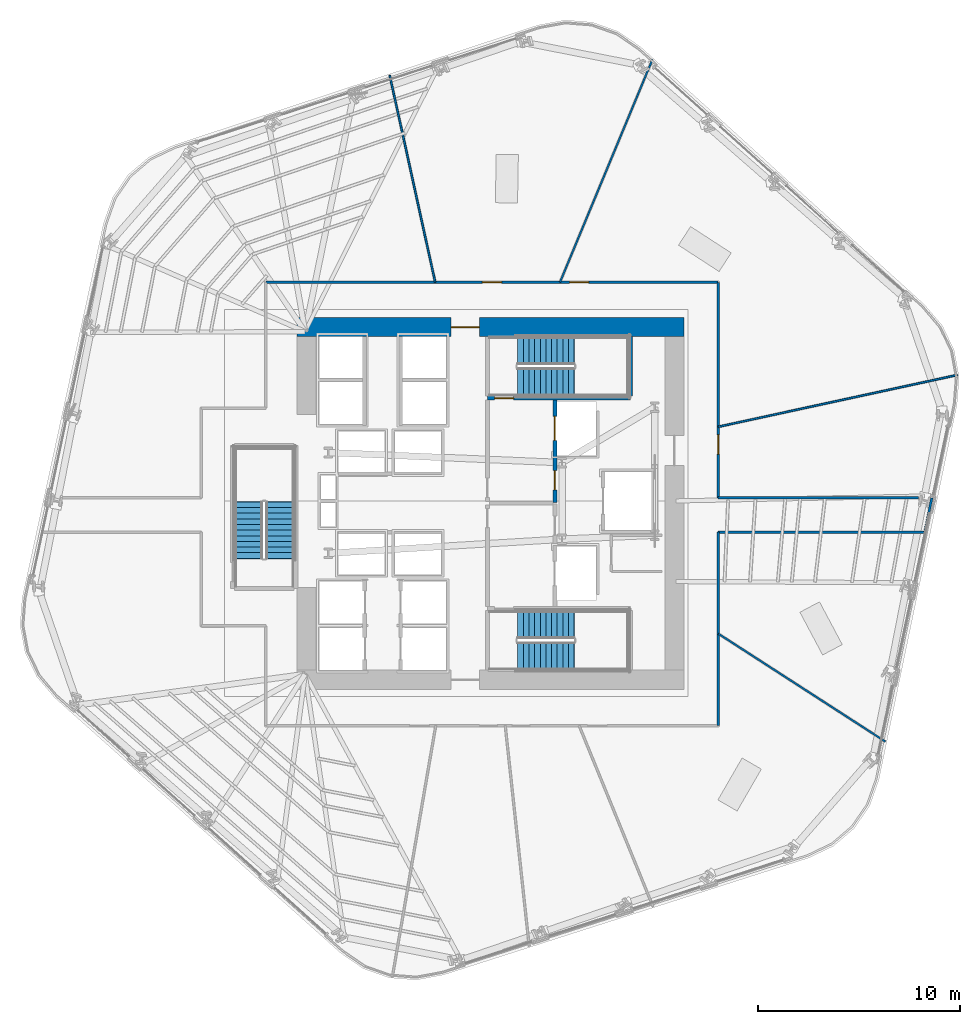
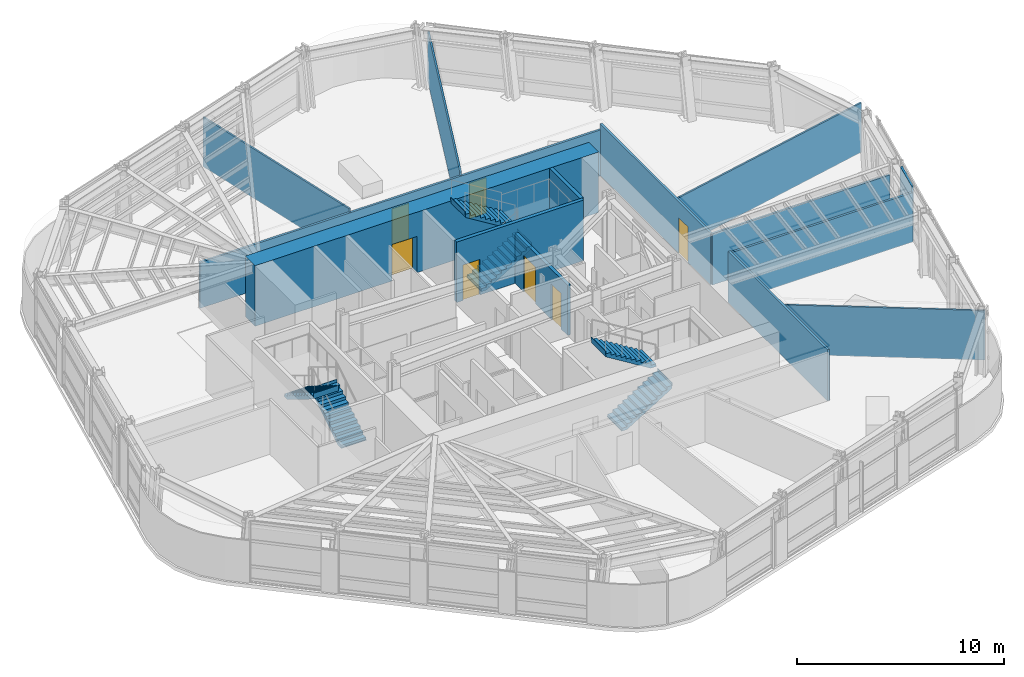
# One storey, part 10 of 16: 14 walls, 7 doors, 6 stair flights, 7 openings, 3 elements without a shape of their own.
"""IFC4 building model written with IfcOpenShell, lengths in metres."""

from ifc_helpers import new_model, si_unit, direction, frame, frame_2d, origin, place, context, subcontext, project, spatial, polyline, rectangle, outline, extrude, material, layer, layer_set, type_object, element, fill, aggregate, save


model = new_model("IFC4")

# Units and contexts
model_context = context("Model", 3, precision=1e-05, world=origin(), true_north=direction((0.0, 1.0)))
body_context = subcontext(model_context, "Body", "Model", "MODEL_VIEW")
ifc_project = project(units=[si_unit("LENGTHUNIT", "METRE"), si_unit("AREAUNIT", "SQUARE_METRE"), si_unit("VOLUMEUNIT", "CUBIC_METRE"), si_unit("PLANEANGLEUNIT", "RADIAN"), si_unit("MASSUNIT", "GRAM", prefix="KILO")], contexts=[model_context])

# Site, building, storey
site_placement = place(None, origin())
site = spatial("IfcSite", under=ifc_project, at=site_placement, CompositionType="ELEMENT")
building_placement = place(site_placement, origin())
building = spatial("IfcBuilding", under=site, at=building_placement, Name="Valkerne Bourse Tower", CompositionType="ELEMENT")
storey_placement = place(building_placement, frame((0.0, 0.0, 101.0)))
storey = spatial("IfcBuildingStorey", under=building, at=storey_placement, Name="L25", CompositionType="ELEMENT", Elevation=101.0)

# Wall, opening, door
ifc_material_1 = material(Name="Concrete C70/85", Category="concrete")
ifc_layer_1 = layer(ifc_material_1, 0.949951171875)
ifc_layer_set_1 = layer_set([ifc_layer_1], Name="Concrete C70/85")
wall_type_1 = type_object("IfcWallType", Name="W-CORE-950", PredefinedType="SHEAR", material=ifc_layer_set_1)
wall_1_placement = place(storey_placement, frame((37.199951171875, 35.625, 0.0), z_axis=(0.0, 0.0, 1.0), x_axis=(1.0, 0.0, 0.0)))
wall_1 = element("IfcWall", 1, at=wall_1_placement, inside=storey, type_object=wall_type_1, Name="L25 Core Shear Wall NORTH", PredefinedType="SHEAR", context=body_context, shape_type="SweptSolid", body=[
    extrude(rectangle(XDim=19.199951171875, YDim=0.949951171875, at=frame_2d((9.60009765625, 0.0))), origin(), (0.0, 0.0, 1.0), 3.580078125),
])
opening_1_placement = place(wall_1_placement, frame((7.64990234375, 0.0, 0.0)))
opening_1 = element("IfcOpeningElement", 2, at=opening_1_placement, cuts=wall_1, Name="Opening D-PL-1400", PredefinedType="OPENING", context=body_context, shape_type="SweptSolid", body=[
    extrude(rectangle(XDim=1.39990234375, YDim=2.14990234375, at=frame_2d((0.699951171875, 1.074951171875))), frame((0.0, 0.48486328125, 0.0), z_axis=(0.0, -1.0, 0.0), x_axis=(1.0, 0.0, 0.0)), (0.0, 0.0, 1.0), 0.969970703125),
])
ifc_material_2 = material(Name="Galvanised Painted Steel", Category="steel")
door_type_1 = type_object("IfcDoorType", Name="DR-PLT-1400", OperationType="DOUBLE_DOOR_SINGLE_SWING", PredefinedType="DOOR", material=ifc_material_2)
door_1_placement = place(opening_1_placement, origin())
door_1 = element("IfcDoor", 3, at=door_1_placement, inside=storey, type_object=door_type_1, Name="L25 North Passenger Lift Hall Fire Door", OperationType="DOUBLE_DOOR_SINGLE_SWING", OverallHeight=2.14990234375, OverallWidth=1.39990234375, PredefinedType="DOOR", context=body_context, shape_type="SweptSolid", body=[
    extrude(rectangle(XDim=1.39990234375, YDim=2.14990234375, at=frame_2d((0.699951171875, 1.074951171875))), frame((0.0, 0.02490234375, 0.0), z_axis=(0.0, -1.0, 0.0), x_axis=(1.0, 0.0, 0.0)), (0.0, 0.0, 1.0), 0.050048828125),
])
fill(opening_1, door_1)

# Walls
ifc_material_3 = material(Name="Gypsum Board Steel-Stud Partition", Category="steel")
ifc_layer_2 = layer(ifc_material_3, 0.117919921875)
ifc_layer_set_2 = layer_set([ifc_layer_2], Name="Gypsum Board Steel-Stud Partition")
wall_type_2 = type_object("IfcWallType", Name="W-CORR-140", PredefinedType="PARTITIONING", material=ifc_layer_set_2)
wall_2_placement = place(storey_placement, frame((58.10009765625, 27.14990234375, 0.0), z_axis=(0.0, 0.0, 1.0), x_axis=(1.0, 0.0, 0.0)))
element("IfcWall", 4, at=wall_2_placement, inside=storey, type_object=wall_type_2, Name="L25 Corridor Enclosure Wall", PredefinedType="PARTITIONING", context=body_context, shape_type="SweptSolid", body=[
    extrude(rectangle(XDim=9.931640625, YDim=0.117919921875, at=frame_2d((4.9658203125, 0.0))), origin(), (0.0, 0.0, 1.0), 3.03662109375),
])
wall_3_placement = place(storey_placement, frame((68.70068359375, 27.14990234375, 0.0), z_axis=(0.0, 0.0, 1.0), x_axis=(-0.203735271651, -0.97902601553, 0.0)))
element("IfcWall", 5, at=wall_3_placement, inside=storey, type_object=wall_type_2, Name="L25 Corridor Enclosure Wall", PredefinedType="PARTITIONING", context=body_context, shape_type="SweptSolid", body=[
    extrude(rectangle(XDim=1.736328125, YDim=0.117919921875, at=frame_2d((0.8681640625, 0.0))), origin(), (0.0, 0.0, 1.0), 3.280029296875),
])
wall_4_placement = place(storey_placement, frame((68.346923828125, 25.449951171875, 0.0), z_axis=(0.0, 0.0, 1.0), x_axis=(-1.0, 0.0, 0.0)))
element("IfcWall", 6, at=wall_4_placement, inside=storey, type_object=wall_type_2, Name="L25 Corridor Enclosure Wall", PredefinedType="PARTITIONING", context=body_context, shape_type="SweptSolid", body=[
    extrude(rectangle(XDim=10.246826171875, YDim=0.117919921875, at=frame_2d((5.12353515625, 0.0))), origin(), (0.0, 0.0, 1.0), 2.92236328125),
])
wall_5_placement = place(storey_placement, frame((58.10009765625, 25.449951171875, 0.0), z_axis=(0.0, 0.0, 1.0), x_axis=(0.0, -1.0, 0.0)))
element("IfcWall", 7, at=wall_5_placement, inside=storey, type_object=wall_type_2, Name="L25 Corridor Enclosure Wall", PredefinedType="PARTITIONING", context=body_context, shape_type="SweptSolid", body=[
    extrude(rectangle(XDim=9.599853515625, YDim=0.117919921875, at=frame_2d((4.7998046875, 0.0))), origin(), (0.0, 0.0, 1.0), 3.021484375),
])

# Wall, openings, doors
wall_6_placement = place(storey_placement, frame((35.64990234375, 37.85009765625, 0.0), z_axis=(0.0, 0.0, 1.0), x_axis=(1.0, 0.0, 0.0)))
wall_6 = element("IfcWall", 8, at=wall_6_placement, inside=storey, type_object=wall_type_2, Name="L25 Corridor Enclosure Wall", PredefinedType="PARTITIONING", context=body_context, shape_type="SweptSolid", body=[
    extrude(rectangle(XDim=22.4501953125, YDim=0.117919921875, at=frame_2d((11.22509765625, 0.0))), origin(), (0.0, 0.0, 1.0), 2.711669921875),
])
opening_2_placement = place(wall_6_placement, frame((10.75, 0.0, 0.0)))
opening_2 = element("IfcOpeningElement", 9, at=opening_2_placement, cuts=wall_6, Name="Opening D-OF-950", PredefinedType="OPENING", context=body_context, shape_type="SweptSolid", body=[
    extrude(rectangle(XDim=0.949951171875, YDim=2.10009765625, at=frame_2d((0.47509765625, 1.050048828125))), frame((0.0, 0.06884765625, 0.0), z_axis=(0.0, -1.0, 0.0), x_axis=(1.0, 0.0, 0.0)), (0.0, 0.0, 1.0), 0.137939453125),
])
opening_3_placement = place(wall_6_placement, frame((15.070068359375, 0.0, 0.0)))
opening_3 = element("IfcOpeningElement", 10, at=opening_3_placement, cuts=wall_6, Name="Opening D-OF-950", PredefinedType="OPENING", context=body_context, shape_type="SweptSolid", body=[
    extrude(rectangle(XDim=0.949951171875, YDim=2.10009765625, at=frame_2d((0.47509765625, 1.050048828125))), frame((0.0, 0.06884765625, 0.0), z_axis=(0.0, -1.0, 0.0), x_axis=(1.0, 0.0, 0.0)), (0.0, 0.0, 1.0), 0.137939453125),
])
ifc_material_4 = material(Name="Architectural White Oak Timber", Category="wood")
door_type_2 = type_object("IfcDoorType", Name="DR-OFF-950", OperationType="NOTDEFINED", PredefinedType="DOOR", material=ifc_material_4)
door_2_placement = place(opening_2_placement, origin())
door_2 = element("IfcDoor", 11, at=door_2_placement, inside=storey, type_object=door_type_2, Name="L25 L25 Executive Advisory Suite Office 4 Door", OperationType="SINGLE_SWING_LEFT", OverallHeight=2.10009765625, OverallWidth=0.949951171875, PredefinedType="DOOR", context=body_context, shape_type="SweptSolid", body=[
    extrude(rectangle(XDim=0.949951171875, YDim=2.10009765625, at=frame_2d((0.47509765625, 1.050048828125))), frame((0.0, 0.02490234375, 0.0), z_axis=(0.0, -1.0, 0.0), x_axis=(1.0, 0.0, 0.0)), (0.0, 0.0, 1.0), 0.050048828125),
])
fill(opening_2, door_2)
door_3_placement = place(opening_3_placement, origin())
door_3 = element("IfcDoor", 12, at=door_3_placement, inside=storey, type_object=door_type_2, Name="L25 L25 Trading Desk Office 6 Door", OperationType="SINGLE_SWING_RIGHT", OverallHeight=2.10009765625, OverallWidth=0.949951171875, PredefinedType="DOOR", context=body_context, shape_type="SweptSolid", body=[
    extrude(rectangle(XDim=0.949951171875, YDim=2.10009765625, at=frame_2d((0.47509765625, 1.050048828125))), frame((0.0, 0.02490234375, 0.0), z_axis=(0.0, -1.0, 0.0), x_axis=(1.0, 0.0, 0.0)), (0.0, 0.0, 1.0), 0.050048828125),
])
fill(opening_3, door_3)

# Wall, opening, door
wall_7_placement = place(storey_placement, frame((58.10009765625, 37.85009765625, 0.0), z_axis=(0.0, 0.0, 1.0), x_axis=(0.0, -1.0, 0.0)))
wall_7 = element("IfcWall", 13, at=wall_7_placement, inside=storey, type_object=wall_type_2, Name="L25 Corridor Enclosure Wall", PredefinedType="PARTITIONING", context=body_context, shape_type="SweptSolid", body=[
    extrude(rectangle(XDim=10.7001953125, YDim=0.117919921875, at=frame_2d((5.35009765625, 0.0))), origin(), (0.0, 0.0, 1.0), 3.03662109375),
])
opening_4_placement = place(wall_7_placement, frame((7.574951171875, 0.0, 0.0)))
opening_4 = element("IfcOpeningElement", 14, at=opening_4_placement, cuts=wall_7, Name="Opening D-OF-950", PredefinedType="OPENING", context=body_context, shape_type="SweptSolid", body=[
    extrude(rectangle(XDim=0.949951171875, YDim=2.10009765625, at=frame_2d((0.47509765625, 1.050048828125))), frame((0.0, 0.06884765625, 0.0), z_axis=(0.0, -1.0, 0.0), x_axis=(1.0, 0.0, 0.0)), (0.0, 0.0, 1.0), 0.137939453125),
])
door_4_placement = place(opening_4_placement, origin())
door_4 = element("IfcDoor", 15, at=door_4_placement, inside=storey, type_object=door_type_2, Name="L25 L25 Trading Desk Office 5 Door", OperationType="SINGLE_SWING_LEFT", OverallHeight=2.10009765625, OverallWidth=0.949951171875, PredefinedType="DOOR", context=body_context, shape_type="SweptSolid", body=[
    extrude(rectangle(XDim=0.949951171875, YDim=2.10009765625, at=frame_2d((0.47509765625, 1.050048828125))), frame((0.0, 0.02490234375, 0.0), z_axis=(0.0, -1.0, 0.0), x_axis=(1.0, 0.0, 0.0)), (0.0, 0.0, 1.0), 0.050048828125),
])
fill(opening_4, door_4)

# Wall, openings, doors
ifc_material_5 = material(Name="Gypsum Fire-Rated Shaftwall", Category="gypsum")
ifc_layer_3 = layer(ifc_material_5, 0.179931640625)
ifc_layer_set_3 = layer_set([ifc_layer_3], Name="Gypsum Fire-Rated Shaftwall")
wall_type_3 = type_object("IfcWallType", Name="W-FSAE-180", PredefinedType="PARTITIONING", material=ifc_layer_set_3)
wall_8_placement = place(storey_placement, frame((50.0, 26.919921875, 0.0), z_axis=(0.0, 0.0, 1.0), x_axis=(0.0, 1.0, 0.0)))
wall_8 = element("IfcWall", 16, at=wall_8_placement, inside=storey, type_object=wall_type_3, Name="L25 FSAE-2 Lobby & Shaft Front Wall", PredefinedType="PARTITIONING", context=body_context, shape_type="SweptSolid", body=[
    extrude(rectangle(XDim=5.080078125, YDim=0.179931640625, at=frame_2d((2.5400390625, 0.0))), origin(), (0.0, 0.0, 1.0), 2.957763671875),
])
opening_5_placement = place(wall_8_placement, frame((3.080078125, 0.0, 0.0)))
opening_5 = element("IfcOpeningElement", 17, at=opening_5_placement, cuts=wall_8, Name="Opening LD-1200", PredefinedType="OPENING", context=body_context, shape_type="SweptSolid", body=[
    extrude(rectangle(XDim=1.199951171875, YDim=2.14990234375, at=frame_2d((0.60009765625, 1.074951171875))), frame((0.0, 0.099853515625, 0.0), z_axis=(0.0, -1.0, 0.0), x_axis=(1.0, 0.0, 0.0)), (0.0, 0.0, 1.0), 0.199951171875),
])
opening_6_placement = place(wall_8_placement, frame((0.6298828125, 0.0, 0.0)))
opening_6 = element("IfcOpeningElement", 18, at=opening_6_placement, cuts=wall_8, Name="Opening D-FS-950", PredefinedType="OPENING", context=body_context, shape_type="SweptSolid", body=[
    extrude(rectangle(XDim=0.949951171875, YDim=2.10009765625, at=frame_2d((0.47509765625, 1.050048828125))), frame((0.0, 0.099853515625, 0.0), z_axis=(0.0, -1.0, 0.0), x_axis=(1.0, 0.0, 0.0)), (0.0, 0.0, 1.0), 0.199951171875),
])
door_type_3 = type_object("IfcDoorType", Name="DR-FSAE-950", OperationType="NOTDEFINED", PredefinedType="DOOR", material=ifc_material_2)
door_5_placement = place(opening_6_placement, origin())
door_5 = element("IfcDoor", 19, at=door_5_placement, inside=storey, type_object=door_type_3, Name="L25 FSAE-2 Lobby Corridor Fire Door", OperationType="SINGLE_SWING_LEFT", OverallHeight=2.10009765625, OverallWidth=0.949951171875, PredefinedType="DOOR", context=body_context, shape_type="SweptSolid", body=[
    extrude(rectangle(XDim=0.949951171875, YDim=2.10009765625, at=frame_2d((0.47509765625, 1.050048828125))), frame((0.0, 0.02490234375, 0.0), z_axis=(0.0, -1.0, 0.0), x_axis=(1.0, 0.0, 0.0)), (0.0, 0.0, 1.0), 0.050048828125),
])
fill(opening_6, door_5)
ifc_material_6 = material(Name="Stainless Steel AISI 316", Category="steel")
door_type_4 = type_object("IfcDoorType", Name="DR-LIFT-1200", OperationType="DOUBLE_DOOR_SLIDING", PredefinedType="DOOR", material=ifc_material_6)
door_6_placement = place(opening_5_placement, origin())
door_6 = element("IfcDoor", 20, at=door_6_placement, inside=storey, type_object=door_type_4, Name="L25 FSAE-2 Firefighting Lift Landing Door", OperationType="DOUBLE_DOOR_SLIDING", OverallHeight=2.14990234375, OverallWidth=1.199951171875, PredefinedType="DOOR", context=body_context, shape_type="SweptSolid", body=[
    extrude(rectangle(XDim=1.199951171875, YDim=2.14990234375, at=frame_2d((0.60009765625, 1.074951171875))), frame((0.0, 0.02490234375, 0.0), z_axis=(0.0, -1.0, 0.0), x_axis=(1.0, 0.0, 0.0)), (0.0, 0.0, 1.0), 0.050048828125),
])
fill(opening_5, door_6)

# Walls
ifc_layer_4 = layer(ifc_material_3, 0.092041015625)
ifc_layer_set_4 = layer_set([ifc_layer_4], Name="Gypsum Board Steel-Stud Partition")
wall_type_4 = type_object("IfcWallType", Name="W-PART-115", PredefinedType="PARTITIONING", material=ifc_layer_set_4)
wall_9_placement = place(storey_placement, frame((58.10498046875, 20.41064453125, 0.0), z_axis=(0.0, 0.0, 1.0), x_axis=(0.840013079395, -0.542566149373, 0.0)))
element("IfcWall", 21, at=wall_9_placement, inside=storey, type_object=wall_type_4, Name="L25 Suite Partition P04", PredefinedType="PARTITIONING", context=body_context, shape_type="SweptSolid", body=[
    extrude(rectangle(XDim=9.872314453125, YDim=0.092041015625, at=frame_2d((4.93603515625, 0.0))), origin(), (0.0, 0.0, 1.0), 2.92236328125),
])
wall_10_placement = place(storey_placement, frame((58.10498046875, 30.679931640625, 0.0), z_axis=(0.0, 0.0, 1.0), x_axis=(0.97731647923, 0.211784086808, 0.0)))
element("IfcWall", 22, at=wall_10_placement, inside=storey, type_object=wall_type_4, Name="L25 Suite Partition P05", PredefinedType="PARTITIONING", context=body_context, shape_type="SweptSolid", body=[
    extrude(rectangle(XDim=12.1376953125, YDim=0.092041015625, at=frame_2d((6.06884765625, 0.0))), origin(), (0.0, 0.0, 1.0), 2.92236328125),
])
wall_11_placement = place(storey_placement, frame((50.2490234375, 37.85498046875, 0.0), z_axis=(0.0, 0.0, 1.0), x_axis=(0.383372089457, 0.923593980614, 0.0)))
element("IfcWall", 23, at=wall_11_placement, inside=storey, type_object=wall_type_4, Name="L25 Suite Partition P06", PredefinedType="PARTITIONING", context=body_context, shape_type="SweptSolid", body=[
    extrude(rectangle(XDim=11.966552734375, YDim=0.092041015625, at=frame_2d((5.9833984375, 0.0))), origin(), (0.0, 0.0, 1.0), 2.92236328125),
])
wall_12_placement = place(storey_placement, frame((44.055419921875, 37.85498046875, 0.0), z_axis=(0.0, 0.0, 1.0), x_axis=(-0.21472791183, 0.976673908672, 0.0)))
element("IfcWall", 24, at=wall_12_placement, inside=storey, type_object=wall_type_4, Name="L25 Suite Partition P07", PredefinedType="PARTITIONING", context=body_context, shape_type="SweptSolid", body=[
    extrude(rectangle(XDim=10.5068359375, YDim=0.092041015625, at=frame_2d((5.25341796875, 0.0))), origin(), (0.0, 0.0, 1.0), 2.92236328125),
])

# Wall, opening, door
ifc_material_7 = material(Name="Concrete C40/50", Category="concrete")
ifc_layer_5 = layer(ifc_material_7, 0.199951171875)
ifc_layer_set_5 = layer_set([ifc_layer_5], Name="Concrete C40/50")
wall_type_5 = type_object("IfcWallType", Name="W-SHF-200", PredefinedType="SHEAR", material=ifc_layer_set_5)
wall_13_placement = place(storey_placement, frame((46.64990234375, 32.10009765625, 0.0), z_axis=(0.0, 0.0, 1.0), x_axis=(1.0, 0.0, 0.0)))
wall_13 = element("IfcWall", 25, at=wall_13_placement, inside=storey, type_object=wall_type_5, Name="L25 Exit Stair ST-2 Structural Shaft Wall South", PredefinedType="SHEAR", context=body_context, shape_type="SweptSolid", body=[
    extrude(rectangle(XDim=7.10009765625, YDim=0.199951171875, at=frame_2d((3.550048828125, 0.0))), origin(), (0.0, 0.0, 1.0), 3.580078125),
])
opening_7_placement = place(wall_13_placement, frame((0.35009765625, 0.0, 0.0)))
opening_7 = element("IfcOpeningElement", 26, at=opening_7_placement, cuts=wall_13, Name="Opening D-ST-950", PredefinedType="OPENING", context=body_context, shape_type="SweptSolid", body=[
    extrude(rectangle(XDim=0.949951171875, YDim=2.10009765625, at=frame_2d((0.47509765625, 1.050048828125))), frame((0.0, 0.10986328125, 0.0), z_axis=(0.0, -1.0, 0.0), x_axis=(1.0, 0.0, 0.0)), (0.0, 0.0, 1.0), 0.219970703125),
])
door_type_5 = type_object("IfcDoorType", Name="DR-STAIR-950", OperationType="NOTDEFINED", PredefinedType="DOOR", material=ifc_material_2)
door_7_placement = place(opening_7_placement, origin())
door_7 = element("IfcDoor", 27, at=door_7_placement, inside=storey, type_object=door_type_5, Name="L25 Exit Stair ST-2 Door", OperationType="SINGLE_SWING_RIGHT", OverallHeight=2.10009765625, OverallWidth=0.949951171875, PredefinedType="DOOR", context=body_context, shape_type="SweptSolid", body=[
    extrude(rectangle(XDim=0.949951171875, YDim=2.10009765625, at=frame_2d((0.47509765625, 1.050048828125))), frame((0.0, 0.02490234375, 0.0), z_axis=(0.0, -1.0, 0.0), x_axis=(1.0, 0.0, 0.0)), (0.0, 0.0, 1.0), 0.050048828125),
])
fill(opening_7, door_7)

# Wall
wall_14_placement = place(storey_placement, frame((53.75, 32.199951171875, 0.0), z_axis=(0.0, 0.0, 1.0), x_axis=(0.0, 1.0, 0.0)))
element("IfcWall", 28, at=wall_14_placement, inside=storey, type_object=wall_type_5, Name="L25 Exit Stair ST-2 Structural Shaft Wall East", PredefinedType="SHEAR", context=body_context, shape_type="SweptSolid", body=[
    extrude(rectangle(XDim=2.949951171875, YDim=0.199951171875, at=frame_2d((1.47509765625, 0.0))), origin(), (0.0, 0.0, 1.0), 3.580078125),
])

# Stair, stair flights
stair_type = type_object("IfcStairType", Name="ST-CORE-1400", PredefinedType="HALF_TURN_STAIR", material=ifc_material_7)
stair_1_placement = place(storey_placement, origin())
stair_1 = element("IfcStair", 29, at=stair_1_placement, inside=storey, type_object=stair_type, Name="L25 ST-1", PredefinedType="HALF_TURN_STAIR")
stair_flight_type = type_object("IfcStairFlightType", Name="STF-CORE-1400", PredefinedType="STRAIGHT", material=ifc_material_7)
stair_flight_1_placement = place(storey_placement, frame((48.14990234375, 19.300048828125, 0.0), z_axis=(0.0, 0.0, 1.0), x_axis=(1.0, 0.0, 0.0)))
stair_flight_1 = element("IfcStairFlight", 30, at=stair_flight_1_placement, type_object=stair_flight_type, Name="ST-1 flight 1", NumberOfRisers=11, NumberOfTreads=10, PredefinedType="STRAIGHT", RiserHeight=0.172727273, TreadLength=0.28, context=body_context, shape_type="SweptSolid", body=[
    extrude(outline(polyline([(-0.02001953125, 0.0), (-0.02001953125, 0.044921875), (0.0, 0.044921875), (0.0, 0.172607421875), (0.280029296875, 0.172607421875), (0.280029296875, 0.345458984375), (0.56005859375, 0.345458984375), (0.56005859375, 0.51806640625), (0.840087890625, 0.51806640625), (0.840087890625, 0.69091796875), (1.1201171875, 0.69091796875), (1.1201171875, 0.863525390625), (1.39990234375, 0.863525390625), (1.39990234375, 1.036376953125), (1.679931640625, 1.036376953125), (1.679931640625, 1.208984375), (1.9599609375, 1.208984375), (1.9599609375, 1.3818359375), (2.239990234375, 1.3818359375), (2.239990234375, 1.554443359375), (2.52001953125, 1.554443359375), (2.52001953125, 1.727294921875), (2.800048828125, 1.727294921875), (2.800048828125, 1.89990234375), (2.820068359375, 1.89990234375), (2.820068359375, 1.780029296875), (2.800048828125, 1.551025390625), (0.285400390625, 0.0), (-0.02001953125, 0.0)])), frame((0.0, 0.699951171875, 0.0), z_axis=(0.0, -1.0, 0.0), x_axis=(1.0, 0.0, 0.0)), (0.0, 0.0, 1.0), 1.39990234375),
])
stair_flight_2_placement = place(storey_placement, frame((50.949951171875, 20.85009765625, 1.89990234375), z_axis=(0.0, 0.0, 1.0), x_axis=(-1.0, 0.0, 0.0)))
stair_flight_2 = element("IfcStairFlight", 31, at=stair_flight_2_placement, type_object=stair_flight_type, Name="ST-1 flight 2", NumberOfRisers=11, NumberOfTreads=10, PredefinedType="STRAIGHT", RiserHeight=0.172727273, TreadLength=0.28, context=body_context, shape_type="SweptSolid", body=[
    extrude(outline(polyline([(-0.02001953125, 0.0), (-0.02001953125, 0.044921875), (0.0, 0.044921875), (0.0, 0.172607421875), (0.280029296875, 0.172607421875), (0.280029296875, 0.345458984375), (0.56005859375, 0.345458984375), (0.56005859375, 0.51806640625), (0.840087890625, 0.51806640625), (0.840087890625, 0.69091796875), (1.1201171875, 0.69091796875), (1.1201171875, 0.863525390625), (1.39990234375, 0.863525390625), (1.39990234375, 1.036376953125), (1.679931640625, 1.036376953125), (1.679931640625, 1.208984375), (1.9599609375, 1.208984375), (1.9599609375, 1.3818359375), (2.239990234375, 1.3818359375), (2.239990234375, 1.554443359375), (2.52001953125, 1.554443359375), (2.52001953125, 1.727294921875), (2.800048828125, 1.727294921875), (2.800048828125, 1.89990234375), (2.820068359375, 1.89990234375), (2.820068359375, 1.780029296875), (2.800048828125, 1.551025390625), (0.285400390625, 0.0), (-0.02001953125, 0.0)])), frame((0.0, 0.699951171875, 0.0), z_axis=(0.0, -1.0, 0.0), x_axis=(1.0, 0.0, 0.0)), (0.0, 0.0, 1.0), 1.39990234375),
])
aggregate(stair_1, [stair_flight_1, stair_flight_2])

stair_2_placement = place(storey_placement, origin())
stair_2 = element("IfcStair", 32, at=stair_2_placement, inside=storey, type_object=stair_type, Name="L25 ST-2", PredefinedType="HALF_TURN_STAIR")
stair_flight_3_placement = place(storey_placement, frame((48.14990234375, 32.89990234375, 0.0), z_axis=(0.0, 0.0, 1.0), x_axis=(1.0, 0.0, 0.0)))
stair_flight_3 = element("IfcStairFlight", 33, at=stair_flight_3_placement, type_object=stair_flight_type, Name="ST-2 flight 1", NumberOfRisers=11, NumberOfTreads=10, PredefinedType="STRAIGHT", RiserHeight=0.172727273, TreadLength=0.28, context=body_context, shape_type="SweptSolid", body=[
    extrude(outline(polyline([(-0.02001953125, 0.0), (-0.02001953125, 0.044921875), (0.0, 0.044921875), (0.0, 0.172607421875), (0.280029296875, 0.172607421875), (0.280029296875, 0.345458984375), (0.56005859375, 0.345458984375), (0.56005859375, 0.51806640625), (0.840087890625, 0.51806640625), (0.840087890625, 0.69091796875), (1.1201171875, 0.69091796875), (1.1201171875, 0.863525390625), (1.39990234375, 0.863525390625), (1.39990234375, 1.036376953125), (1.679931640625, 1.036376953125), (1.679931640625, 1.208984375), (1.9599609375, 1.208984375), (1.9599609375, 1.3818359375), (2.239990234375, 1.3818359375), (2.239990234375, 1.554443359375), (2.52001953125, 1.554443359375), (2.52001953125, 1.727294921875), (2.800048828125, 1.727294921875), (2.800048828125, 1.89990234375), (2.820068359375, 1.89990234375), (2.820068359375, 1.780029296875), (2.800048828125, 1.551025390625), (0.285400390625, 0.0), (-0.02001953125, 0.0)])), frame((0.0, 0.699951171875, 0.0), z_axis=(0.0, -1.0, 0.0), x_axis=(1.0, 0.0, 0.0)), (0.0, 0.0, 1.0), 1.39990234375),
])
stair_flight_4_placement = place(storey_placement, frame((50.949951171875, 34.449951171875, 1.89990234375), z_axis=(0.0, 0.0, 1.0), x_axis=(-1.0, 0.0, 0.0)))
stair_flight_4 = element("IfcStairFlight", 34, at=stair_flight_4_placement, type_object=stair_flight_type, Name="ST-2 flight 2", NumberOfRisers=11, NumberOfTreads=10, PredefinedType="STRAIGHT", RiserHeight=0.172727273, TreadLength=0.28, context=body_context, shape_type="SweptSolid", body=[
    extrude(outline(polyline([(-0.02001953125, 0.0), (-0.02001953125, 0.044921875), (0.0, 0.044921875), (0.0, 0.172607421875), (0.280029296875, 0.172607421875), (0.280029296875, 0.345458984375), (0.56005859375, 0.345458984375), (0.56005859375, 0.51806640625), (0.840087890625, 0.51806640625), (0.840087890625, 0.69091796875), (1.1201171875, 0.69091796875), (1.1201171875, 0.863525390625), (1.39990234375, 0.863525390625), (1.39990234375, 1.036376953125), (1.679931640625, 1.036376953125), (1.679931640625, 1.208984375), (1.9599609375, 1.208984375), (1.9599609375, 1.3818359375), (2.239990234375, 1.3818359375), (2.239990234375, 1.554443359375), (2.52001953125, 1.554443359375), (2.52001953125, 1.727294921875), (2.800048828125, 1.727294921875), (2.800048828125, 1.89990234375), (2.820068359375, 1.89990234375), (2.820068359375, 1.780029296875), (2.800048828125, 1.551025390625), (0.285400390625, 0.0), (-0.02001953125, 0.0)])), frame((0.0, 0.699951171875, 0.0), z_axis=(0.0, -1.0, 0.0), x_axis=(1.0, 0.0, 0.0)), (0.0, 0.0, 1.0), 1.39990234375),
])
aggregate(stair_2, [stair_flight_3, stair_flight_4])

stair_3_placement = place(storey_placement, origin())
stair_3 = element("IfcStair", 35, at=stair_3_placement, inside=storey, type_object=stair_type, Name="L25 ST-3", PredefinedType="HALF_TURN_STAIR")
stair_flight_5_placement = place(storey_placement, frame((36.35009765625, 24.14990234375, 0.0), z_axis=(0.0, 0.0, 1.0), x_axis=(0.0, 1.0, 0.0)))
stair_flight_5 = element("IfcStairFlight", 36, at=stair_flight_5_placement, type_object=stair_flight_type, Name="ST-3 flight 1", NumberOfRisers=11, NumberOfTreads=10, PredefinedType="STRAIGHT", RiserHeight=0.172727273, TreadLength=0.28, context=body_context, shape_type="SweptSolid", body=[
    extrude(outline(polyline([(-0.02001953125, 0.0), (-0.02001953125, 0.044921875), (0.0, 0.044921875), (0.0, 0.172607421875), (0.280029296875, 0.172607421875), (0.280029296875, 0.345458984375), (0.56005859375, 0.345458984375), (0.56005859375, 0.51806640625), (0.840087890625, 0.51806640625), (0.840087890625, 0.69091796875), (1.1201171875, 0.69091796875), (1.1201171875, 0.863525390625), (1.39990234375, 0.863525390625), (1.39990234375, 1.036376953125), (1.679931640625, 1.036376953125), (1.679931640625, 1.208984375), (1.9599609375, 1.208984375), (1.9599609375, 1.3818359375), (2.239990234375, 1.3818359375), (2.239990234375, 1.554443359375), (2.52001953125, 1.554443359375), (2.52001953125, 1.727294921875), (2.800048828125, 1.727294921875), (2.800048828125, 1.89990234375), (2.820068359375, 1.89990234375), (2.820068359375, 1.780029296875), (2.800048828125, 1.551025390625), (0.285400390625, 0.0), (-0.02001953125, 0.0)])), frame((0.0, 0.699951171875, 0.0), z_axis=(0.0, -1.0, 0.0), x_axis=(1.0, 0.0, 0.0)), (0.0, 0.0, 1.0), 1.39990234375),
])
stair_flight_6_placement = place(storey_placement, frame((34.800048828125, 26.949951171875, 1.89990234375), z_axis=(0.0, 0.0, 1.0), x_axis=(0.0, -1.0, 0.0)))
stair_flight_6 = element("IfcStairFlight", 37, at=stair_flight_6_placement, type_object=stair_flight_type, Name="ST-3 flight 2", NumberOfRisers=11, NumberOfTreads=10, PredefinedType="STRAIGHT", RiserHeight=0.172727273, TreadLength=0.28, context=body_context, shape_type="SweptSolid", body=[
    extrude(outline(polyline([(-0.02001953125, 0.0), (-0.02001953125, 0.044921875), (0.0, 0.044921875), (0.0, 0.172607421875), (0.280029296875, 0.172607421875), (0.280029296875, 0.345458984375), (0.56005859375, 0.345458984375), (0.56005859375, 0.51806640625), (0.840087890625, 0.51806640625), (0.840087890625, 0.69091796875), (1.1201171875, 0.69091796875), (1.1201171875, 0.863525390625), (1.39990234375, 0.863525390625), (1.39990234375, 1.036376953125), (1.679931640625, 1.036376953125), (1.679931640625, 1.208984375), (1.9599609375, 1.208984375), (1.9599609375, 1.3818359375), (2.239990234375, 1.3818359375), (2.239990234375, 1.554443359375), (2.52001953125, 1.554443359375), (2.52001953125, 1.727294921875), (2.800048828125, 1.727294921875), (2.800048828125, 1.89990234375), (2.820068359375, 1.89990234375), (2.820068359375, 1.780029296875), (2.800048828125, 1.551025390625), (0.285400390625, 0.0), (-0.02001953125, 0.0)])), frame((0.0, 0.699951171875, 0.0), z_axis=(0.0, -1.0, 0.0), x_axis=(1.0, 0.0, 0.0)), (0.0, 0.0, 1.0), 1.39990234375),
])
aggregate(stair_3, [stair_flight_5, stair_flight_6])

save(model, "model.ifc")
